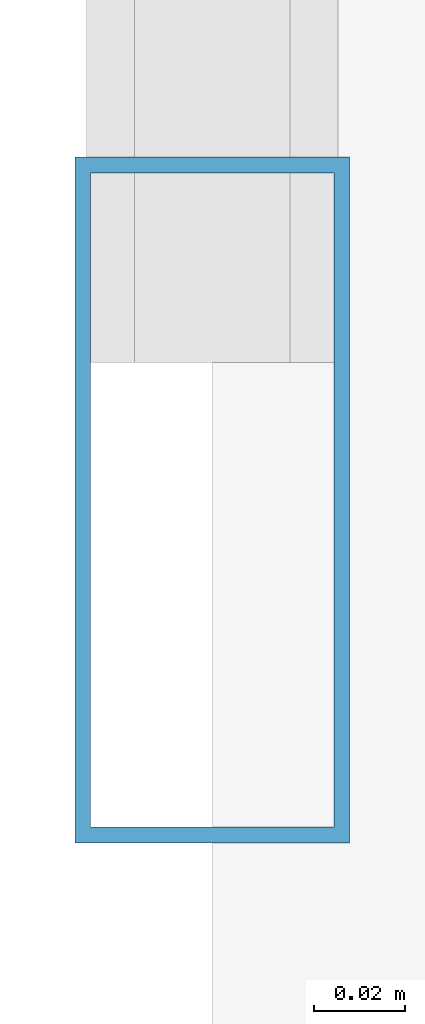
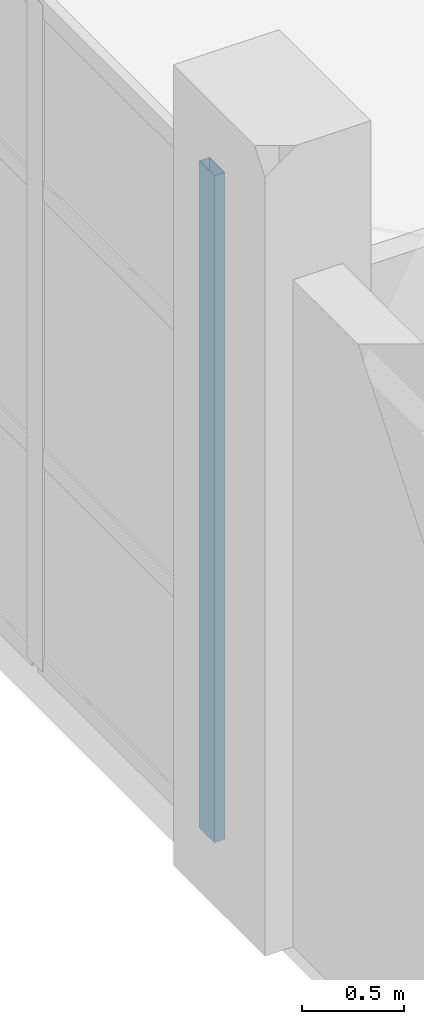
# One storey, part 16 of 63: 1 member, 1 element without a shape of its own.
"""IFC4 building model written with IfcOpenShell, lengths in metres."""

from ifc_helpers import new_model, si_unit, direction, frame, origin, origin_2d, place, context, subcontext, project, spatial, hollow_rectangle, extrude, material, layer, layer_set, material_profile, profile_set, type_object, element, aggregate, save


model = new_model("IFC4")

# Units and contexts
model_context = context("Model", 3, precision=1e-05, world=origin(), true_north=direction((0.0, 1.0)))
body_context = subcontext(model_context, "Body", "Model", "MODEL_VIEW")
ifc_project = project(units=[si_unit("LENGTHUNIT", "METRE"), si_unit("AREAUNIT", "SQUARE_METRE"), si_unit("VOLUMEUNIT", "CUBIC_METRE"), si_unit("PLANEANGLEUNIT", "RADIAN"), si_unit("MASSUNIT", "GRAM", prefix="KILO")], contexts=[model_context])

# Site, building, storey
site_placement = place(None, origin())
site = spatial("IfcSite", under=ifc_project, at=site_placement, CompositionType="ELEMENT")
building_placement = place(site_placement, origin())
building = spatial("IfcBuilding", under=site, at=building_placement, Name="Canggui Botanical Conservatory", CompositionType="ELEMENT")
storey_placement = place(building_placement, frame((0.0, 0.0, 10.199951171875)))
storey = spatial("IfcBuildingStorey", under=building, at=storey_placement, Name="L03", CompositionType="ELEMENT", Elevation=10.199951171875)

# Curtain wall, member
ifc_material = material(Name="Thermally Broken Aluminium", Category="aluminium")
ifc_layer = layer(ifc_material, 0.14990234375, Name="Thermally Broken Aluminium", Category="aluminium")
ifc_layer_set = layer_set([ifc_layer], Name="Thermally Broken Aluminium")
curtain_wall_type = type_object("IfcCurtainWallType", Name="CW-UNIT-C", PredefinedType="USERDEFINED", material=ifc_layer_set)
curtain_wall_placement = place(storey_placement, origin())
curtain_wall = element("IfcCurtainWall", 1, at=curtain_wall_placement, inside=storey, type_object=curtain_wall_type, Name="Facade Curtain Wall CW-TWR-L03-11", ObjectType="UNITISED CURTAIN WALL", PredefinedType="USERDEFINED")
ifc_material_profile = material_profile(ifc_material, hollow_rectangle(XDim=0.06005859375, YDim=0.14990234375, WallThickness=0.00341796875, at=origin_2d()), Name="CWM 60x150x3.5")
ifc_profile_set = profile_set([ifc_material_profile], Name="Thermally Broken Aluminium")
member_type = type_object("IfcMemberType", Name="CWM-03", PredefinedType="MULLION", material=ifc_profile_set)
member_placement = place(storey_placement, frame((130.0, 58.590087890625, 0.0), z_axis=(0.0, 0.0, 1.0), x_axis=(-1.0, 0.0, 0.0)))
member = element("IfcMember", 2, at=member_placement, type_object=member_type, Name="CW-03 mullion 1", PredefinedType="MULLION", context=body_context, shape_type="SweptSolid", body=[
    extrude(hollow_rectangle(XDim=0.06005859375, YDim=0.14990234375, WallThickness=0.00341796875, at=origin_2d()), origin(), (0.0, 0.0, 1.0), 4.0),
])
aggregate(curtain_wall, [member])

save(model, "model.ifc")
